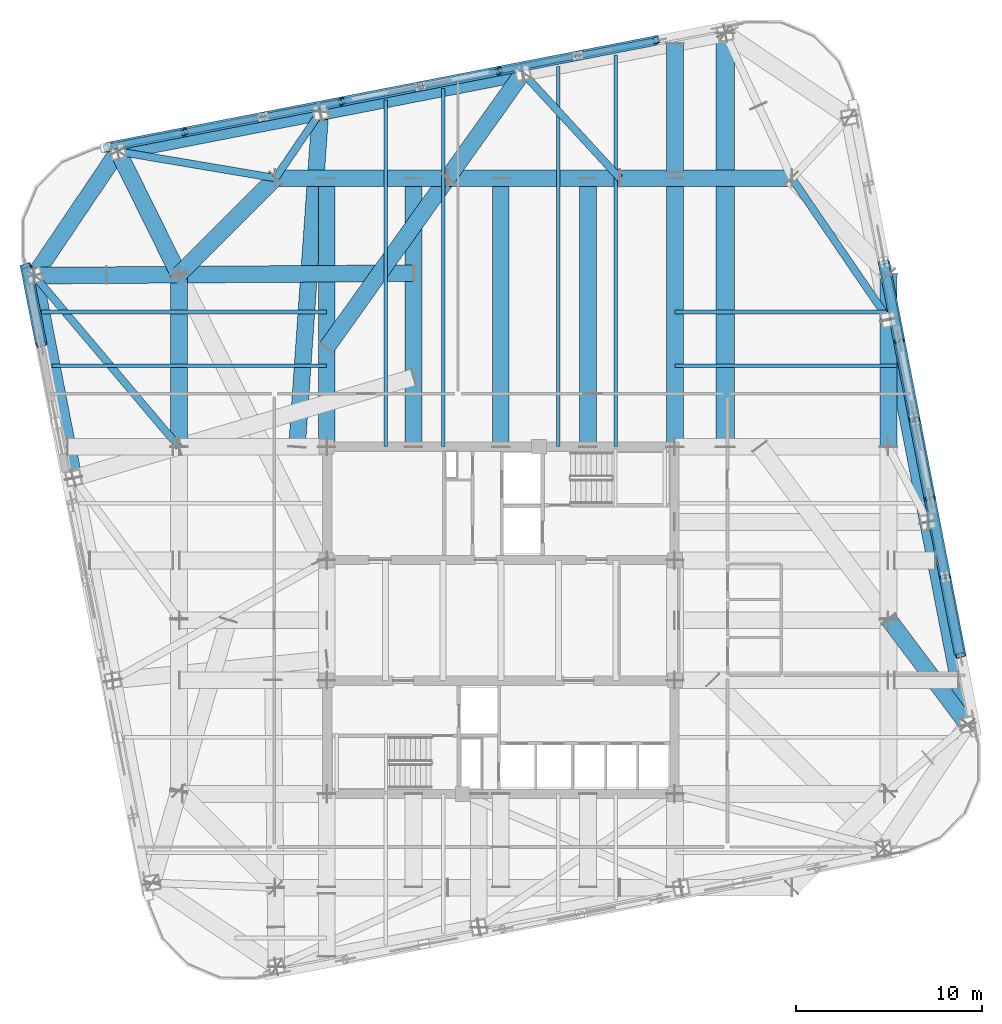
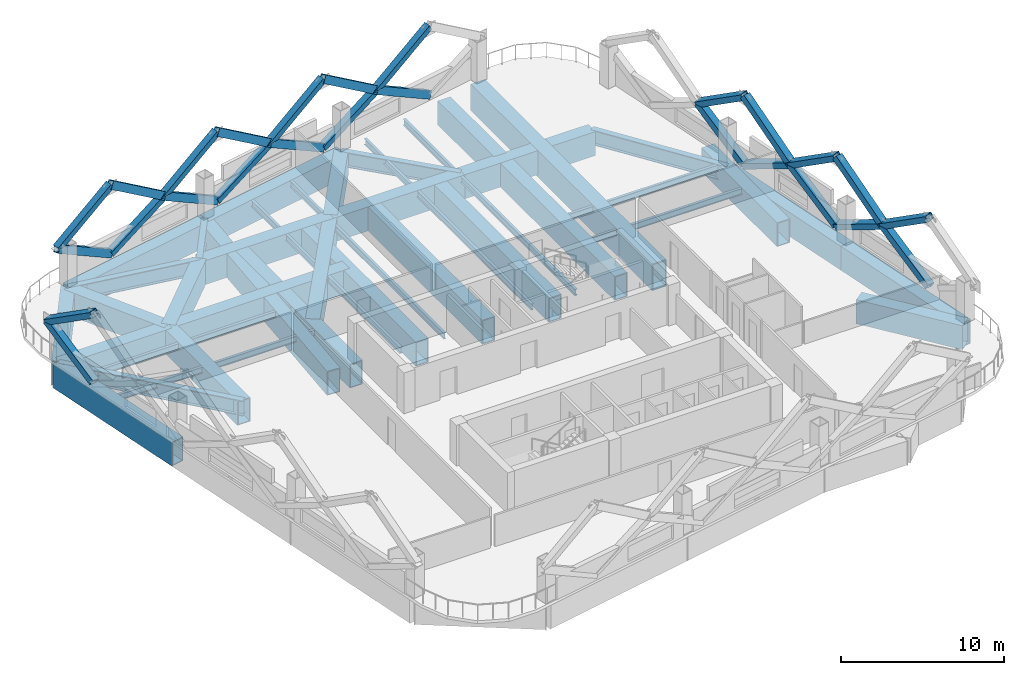
# One storey, part 3 of 14: 39 beams, 26 members.
"""IFC4 building model written with IfcOpenShell, lengths in metres."""

from ifc_helpers import new_model, si_unit, direction, frame, origin, origin_2d, place, context, subcontext, project, spatial, hollow_rectangle, i_section, extrude, material, material_profile, profile_set, type_object, element, save


model = new_model("IFC4")

# Units and contexts
model_context = context("Model", 3, precision=1e-05, world=origin(), true_north=direction((0.0, 1.0)))
body_context = subcontext(model_context, "Body", "Model", "MODEL_VIEW")
ifc_project = project(units=[si_unit("LENGTHUNIT", "METRE"), si_unit("AREAUNIT", "SQUARE_METRE"), si_unit("VOLUMEUNIT", "CUBIC_METRE"), si_unit("PLANEANGLEUNIT", "RADIAN"), si_unit("MASSUNIT", "GRAM", prefix="KILO")], contexts=[model_context])

# Site, building, storey
site_placement = place(None, origin())
site = spatial("IfcSite", under=ifc_project, at=site_placement, CompositionType="ELEMENT")
building_placement = place(site_placement, origin())
building = spatial("IfcBuilding", under=site, at=building_placement, Name="Qhalaya Broadcast Tower", CompositionType="ELEMENT")
storey_placement = place(building_placement, frame((0.0, 0.0, 112.800048828125)))
storey = spatial("IfcBuildingStorey", under=building, at=storey_placement, Name="L32", CompositionType="ELEMENT", Elevation=112.800048828125)

# Beams
ifc_material_1 = material(Name="Structural Steel ASTM A572 Grade 50", Category="steel")
ifc_material_profile_1 = material_profile(ifc_material_1, hollow_rectangle(XDim=0.89990234375, YDim=1.800048828125, WallThickness=0.06005859375, at=origin_2d()), Name="BOX 900x1800x60")
ifc_profile_set_1 = profile_set([ifc_material_profile_1], Name="Structural Steel ASTM A572 Grade 50")
beam_type_1 = type_object("IfcBeamType", Name="Block Cantilever Transfer Box Girder TG1", PredefinedType="USERDEFINED", material=ifc_profile_set_1)
for number, where, z_axis, x_axis, name in (
    (1, (25.1162109375, -4.99951171875, -1.1201171875), (-0.190804900759, 0.981627979352, 0.0), (-0.981627979352, -0.190804900759, 0.0), "L32 TG1 L32-SPR-05"),
    (2, (22.998291015625, 5.896484375, -1.1201171875), (-0.190804900759, 0.981627979352, 0.0), (-0.981627979352, -0.190804900759, 0.0), "L32 TG1 L32-SPR-06"),
    (3, (1.183349609375, 30.078369140625, -1.1201171875), (-0.981627979352, -0.190804900759, 0.0), (0.190804900759, -0.981627979352, 0.0), "L32 TG1 L32-SPR-10"),
    (4, (-9.712646484375, 27.96044921875, -1.1201171875), (-0.981623859527, -0.190826094673, 0.0), (0.190826094673, -0.981623859527, 0.0), "L32 TG1 L32-SPR-11"),
):
    element("IfcBeam", number, at=place(storey_placement, frame(where, z_axis=z_axis, x_axis=x_axis)), inside=storey, type_object=beam_type_1, Name=name, ObjectType="GIRDER", PredefinedType="USERDEFINED", context=body_context, shape_type="SweptSolid", body=[
        extrude(hollow_rectangle(XDim=0.89990234375, YDim=1.800048828125, WallThickness=0.06005859375, at=origin_2d()), origin(), (0.0, 0.0, 1.0), 11.099853515625),
    ])
beam_1_placement = place(storey_placement, frame((-20.608642578125, 25.84228515625, -1.1201171875), z_axis=(-0.559186208288, -0.829042088473, 0.0), x_axis=(0.829042088473, -0.559186208288, 0.0)))
element("IfcBeam", 5, at=beam_1_placement, inside=storey, type_object=beam_type_1, Name="L32 TG1 L32-SPR-12", ObjectType="GIRDER", PredefinedType="USERDEFINED", context=body_context, shape_type="SweptSolid", body=[
    extrude(hollow_rectangle(XDim=0.89990234375, YDim=1.800048828125, WallThickness=0.06005859375, at=origin_2d()), origin(), (0.0, 0.0, 1.0), 8.06103515625),
])
beam_2_placement = place(storey_placement, frame((-25.1162109375, 19.159423828125, -1.1201171875), z_axis=(0.190804900759, -0.981627979352, 0.0), x_axis=(0.981627979352, 0.190804900759, 0.0)))
element("IfcBeam", 6, at=beam_2_placement, inside=storey, type_object=beam_type_1, Name="L32 TG1 L32-SPR-13", ObjectType="GIRDER", PredefinedType="USERDEFINED", context=body_context, shape_type="SweptSolid", body=[
    extrude(hollow_rectangle(XDim=0.89990234375, YDim=1.800048828125, WallThickness=0.06005859375, at=origin_2d()), origin(), (0.0, 0.0, 1.0), 11.099853515625),
])
for number, where, z_axis, x_axis, name in (
    (7, (20.8701171875, 9.943359375, -1.1201171875), (0.0, 1.0, 0.0), (-1.0, 0.0, 0.0), "L32 TG1 L32-TGL-07"),
    (8, (15.669921875, 24.409912109375, -1.1201171875), (-1.0, 0.0, 0.0), (0.0, -1.0, 0.0), "L32 TG1 L32-TGL-09"),
    (9, (6.4033203125, 24.409912109375, -1.1201171875), (-1.0, 0.0, 0.0), (0.0, -1.0, 0.0), "L32 TG1 L32-TGL-10"),
    (10, (-2.86328125, 24.409912109375, -1.1201171875), (-1.0, 0.0, 0.0), (0.0, -1.0, 0.0), "L32 TG1 L32-TGL-11"),
):
    element("IfcBeam", number, at=place(storey_placement, frame(where, z_axis=z_axis, x_axis=x_axis)), inside=storey, type_object=beam_type_1, Name=name, ObjectType="GIRDER", PredefinedType="USERDEFINED", context=body_context, shape_type="SweptSolid", body=[
        extrude(hollow_rectangle(XDim=0.89990234375, YDim=1.800048828125, WallThickness=0.06005859375, at=origin_2d()), origin(), (0.0, 0.0, 1.0), 9.2666015625),
    ])
beam_3_placement = place(storey_placement, frame((-12.1298828125, 24.409912109375, -1.1201171875), z_axis=(-0.707123380132, -0.707090181851, 0.0), x_axis=(0.707090181851, -0.707123380132, 0.0)))
element("IfcBeam", 11, at=beam_3_placement, inside=storey, type_object=beam_type_1, Name="L32 TG1 L32-TGL-12", ObjectType="GIRDER", PredefinedType="USERDEFINED", context=body_context, shape_type="SweptSolid", body=[
    extrude(hollow_rectangle(XDim=0.89990234375, YDim=1.800048828125, WallThickness=0.06005859375, at=origin_2d()), origin(), (0.0, 0.0, 1.0), 7.35400390625),
])
beam_4_placement = place(storey_placement, frame((-17.330078125, 19.2099609375, -1.1201171875), z_axis=(0.0, -1.0, 0.0), x_axis=(1.0, 0.0, 0.0)))
element("IfcBeam", 12, at=beam_4_placement, inside=storey, type_object=beam_type_1, Name="L32 TG1 L32-TGL-13", ObjectType="GIRDER", PredefinedType="USERDEFINED", context=body_context, shape_type="SweptSolid", body=[
    extrude(hollow_rectangle(XDim=0.89990234375, YDim=1.800048828125, WallThickness=0.06005859375, at=origin_2d()), origin(), (0.0, 0.0, 1.0), 9.2666015625),
])
for number, where, z_axis, x_axis, name in (
    (13, (-9.375, 9.949951171875, -1.1201171875), (0.0, 1.0, 0.0), (-1.0, 0.0, 0.0), "L32 TG1 L32-TGINW-1"),
    (14, (9.375, 9.949951171875, -1.1201171875), (0.0, 1.0, 0.0), (-1.0, 0.0, 0.0), "L32 TG1 L32-TGINE-1"),
    (15, (0.0, 9.949951171875, -1.1201171875), (0.0, 1.0, 0.0), (-1.0, 0.0, 0.0), "L32 TG1 L32-TGIMN-1"),
    (16, (-4.699951171875, 9.949951171875, -1.1201171875), (0.0, 1.0, 0.0), (-1.0, 0.0, 0.0), "L32 TG1 L32-TGIMNW-1"),
    (17, (4.699951171875, 9.949951171875, -1.1201171875), (0.0, 1.0, 0.0), (-1.0, 0.0, 0.0), "L32 TG1 L32-TGIMNE-1"),
):
    element("IfcBeam", number, at=place(storey_placement, frame(where, z_axis=z_axis, x_axis=x_axis)), inside=storey, type_object=beam_type_1, Name=name, ObjectType="GIRDER", PredefinedType="USERDEFINED", context=body_context, shape_type="SweptSolid", body=[
        extrude(hollow_rectangle(XDim=0.89990234375, YDim=1.800048828125, WallThickness=0.06005859375, at=origin_2d()), origin(), (0.0, 0.0, 1.0), 14.420166015625),
    ])
beam_5_placement = place(storey_placement, frame((20.8701171875, 0.6767578125, -1.1201171875), z_axis=(0.598996608704, -0.800751561198, 0.0), x_axis=(0.800751561198, 0.598996608704, 0.0)))
element("IfcBeam", 18, at=beam_5_placement, inside=storey, type_object=beam_type_1, Name="L32 Cantilever Transfer Box Girder 05", ObjectType="GIRDER", PredefinedType="USERDEFINED", context=body_context, shape_type="SweptSolid", body=[
    extrude(hollow_rectangle(XDim=0.89990234375, YDim=1.800048828125, WallThickness=0.06005859375, at=origin_2d()), origin(), (0.0, 0.0, 1.0), 7.088623046875),
])
beam_6_placement = place(storey_placement, frame((-9.375, 15.288818359375, -1.1201171875), z_axis=(0.581040348314, 0.813874753037, 0.0), x_axis=(-0.813874753037, 0.581040348314, 0.0)))
element("IfcBeam", 19, at=beam_6_placement, inside=storey, type_object=beam_type_1, Name="L32 Collinear Back-Span Transfer Box Girder 10", ObjectType="GIRDER", PredefinedType="USERDEFINED", context=body_context, shape_type="SweptSolid", body=[
    extrude(hollow_rectangle(XDim=0.89990234375, YDim=1.800048828125, WallThickness=0.06005859375, at=origin_2d()), origin(), (0.0, 0.0, 1.0), 11.20703125),
])
beam_7_placement = place(storey_placement, frame((-2.86328125, 24.409912109375, -1.1201171875), z_axis=(0.58102263764, 0.813887396726, 0.0), x_axis=(-0.813887396726, 0.58102263764, 0.0)))
element("IfcBeam", 20, at=beam_7_placement, inside=storey, type_object=beam_type_1, Name="L32 Cantilever Transfer Box Girder 10", ObjectType="GIRDER", PredefinedType="USERDEFINED", context=body_context, shape_type="SweptSolid", body=[
    extrude(hollow_rectangle(XDim=0.89990234375, YDim=1.800048828125, WallThickness=0.06005859375, at=origin_2d()), origin(), (0.0, 0.0, 1.0), 6.964599609375),
])
beam_8_placement = place(storey_placement, frame((-10.9736328125, 9.949951171875, -1.1201171875), z_axis=(0.069842987809, 0.997557996837, 0.0), x_axis=(-0.997557996837, 0.069842987809, 0.0)))
element("IfcBeam", 21, at=beam_8_placement, inside=storey, type_object=beam_type_1, Name="L32 Continuous Cantilever Transfer Box Girder 11", ObjectType="GIRDER", PredefinedType="USERDEFINED", context=body_context, shape_type="SweptSolid", body=[
    extrude(hollow_rectangle(XDim=0.89990234375, YDim=1.800048828125, WallThickness=0.06005859375, at=origin_2d()), origin(), (0.0, 0.0, 1.0), 18.0546875),
])
beam_9_placement = place(storey_placement, frame((-17.330078125, 19.2099609375, -1.1201171875), z_axis=(-0.443143499588, 0.896450689538, 0.0), x_axis=(-0.896450689538, -0.443143499588, 0.0)))
element("IfcBeam", 22, at=beam_9_placement, inside=storey, type_object=beam_type_1, Name="L32 Cantilever Transfer Box Girder 12", ObjectType="GIRDER", PredefinedType="USERDEFINED", context=body_context, shape_type="SweptSolid", body=[
    extrude(hollow_rectangle(XDim=0.89990234375, YDim=1.800048828125, WallThickness=0.06005859375, at=origin_2d()), origin(), (0.0, 0.0, 1.0), 7.3984375),
])
beam_10_placement = place(storey_placement, frame((-4.699951171875, 19.2919921875, -1.1201171875), z_axis=(-0.999978908887, -0.006494750225, 0.0), x_axis=(0.006494750225, -0.999978908887, 0.0)))
element("IfcBeam", 23, at=beam_10_placement, inside=storey, type_object=beam_type_1, Name="L32 Collinear Back-Span Transfer Box Girder 13", ObjectType="GIRDER", PredefinedType="USERDEFINED", context=body_context, shape_type="SweptSolid", body=[
    extrude(hollow_rectangle(XDim=0.89990234375, YDim=1.800048828125, WallThickness=0.06005859375, at=origin_2d()), origin(), (0.0, 0.0, 1.0), 12.63037109375),
])
beam_11_placement = place(storey_placement, frame((-17.330078125, 19.2099609375, -1.1201171875), z_axis=(-0.999978936358, -0.006490519247, 0.0), x_axis=(0.006490519247, -0.999978936358, 0.0)))
element("IfcBeam", 24, at=beam_11_placement, inside=storey, type_object=beam_type_1, Name="L32 Cantilever Transfer Box Girder 13", ObjectType="GIRDER", PredefinedType="USERDEFINED", context=body_context, shape_type="SweptSolid", body=[
    extrude(hollow_rectangle(XDim=0.89990234375, YDim=1.800048828125, WallThickness=0.06005859375, at=origin_2d()), origin(), (0.0, 0.0, 1.0), 7.786376953125),
])
beam_12_placement = place(storey_placement, frame((9.375, 24.75, -1.1201171875), z_axis=(0.0, 1.0, 0.0), x_axis=(-1.0, 0.0, 0.0)))
element("IfcBeam", 25, at=beam_12_placement, inside=storey, type_object=beam_type_1, Name="L32 TG1 L32-PGXN2-OV1", ObjectType="GIRDER", PredefinedType="USERDEFINED", context=body_context, shape_type="SweptSolid", body=[
    extrude(hollow_rectangle(XDim=0.89990234375, YDim=1.800048828125, WallThickness=0.06005859375, at=origin_2d()), origin(), (0.0, 0.0, 1.0), 6.900146484375),
])
ifc_material_2 = material(Name="Structural Steel ASTM A992 Grade 50", Category="steel")
ifc_material_profile_2 = material_profile(ifc_material_2, i_section(OverallWidth=0.19189453125, OverallDepth=0.462890625, WebThickness=0.010498046875, FlangeThickness=0.017578125, at=origin_2d()), Name="W18X60")
ifc_profile_set_2 = profile_set([ifc_material_profile_2], Name="Structural Steel ASTM A992 Grade 50")
beam_type_2 = type_object("IfcBeamType", Name="Composite Floor Joist J03", PredefinedType="JOIST", material=ifc_profile_set_2)
beam_13_placement = place(storey_placement, frame((-6.199951171875, 9.949951171875, -0.45166015625), z_axis=(0.0, 1.0, 0.0), x_axis=(-1.0, 0.0, 0.0)))
element("IfcBeam", 26, at=beam_13_placement, inside=storey, type_object=beam_type_2, Name="L32 J03 L32-JNN1-1", PredefinedType="JOIST", context=body_context, shape_type="SweptSolid", body=[
    extrude(i_section(OverallWidth=0.19189453125, OverallDepth=0.462890625, WebThickness=0.010498046875, FlangeThickness=0.017578125, at=origin_2d()), origin(), (0.0, 0.0, 1.0), 18.6728515625),
])
beam_14_placement = place(storey_placement, frame((-3.10009765625, 9.949951171875, -0.45166015625), z_axis=(0.0, 1.0, 0.0), x_axis=(-1.0, 0.0, 0.0)))
element("IfcBeam", 27, at=beam_14_placement, inside=storey, type_object=beam_type_2, Name="L32 J03 L32-JNN2-1", PredefinedType="JOIST", context=body_context, shape_type="SweptSolid", body=[
    extrude(i_section(OverallWidth=0.19189453125, OverallDepth=0.462890625, WebThickness=0.010498046875, FlangeThickness=0.017578125, at=origin_2d()), origin(), (0.0, 0.0, 1.0), 19.275390625),
])
beam_15_placement = place(storey_placement, frame((3.10009765625, 9.949951171875, -0.45166015625), z_axis=(0.0, 1.0, 0.0), x_axis=(-1.0, 0.0, 0.0)))
element("IfcBeam", 28, at=beam_15_placement, inside=storey, type_object=beam_type_2, Name="L32 J03 L32-JNN4-1", PredefinedType="JOIST", context=body_context, shape_type="SweptSolid", body=[
    extrude(i_section(OverallWidth=0.19189453125, OverallDepth=0.462890625, WebThickness=0.010498046875, FlangeThickness=0.017578125, at=origin_2d()), origin(), (0.0, 0.0, 1.0), 20.480712890625),
])
beam_16_placement = place(storey_placement, frame((6.199951171875, 9.949951171875, -0.45166015625), z_axis=(0.0, 1.0, 0.0), x_axis=(-1.0, 0.0, 0.0)))
element("IfcBeam", 29, at=beam_16_placement, inside=storey, type_object=beam_type_2, Name="L32 J03 L32-JNN5-1", PredefinedType="JOIST", context=body_context, shape_type="SweptSolid", body=[
    extrude(i_section(OverallWidth=0.19189453125, OverallDepth=0.462890625, WebThickness=0.010498046875, FlangeThickness=0.017578125, at=origin_2d()), origin(), (0.0, 0.0, 1.0), 21.083251953125),
])
beam_17_placement = place(storey_placement, frame((-24.1513671875, 14.300048828125, -0.45166015625), z_axis=(1.0, 0.0, 0.0), x_axis=(0.0, 1.0, 0.0)))
element("IfcBeam", 30, at=beam_17_placement, inside=storey, type_object=beam_type_2, Name="L32 J03 L32-JWE6W-1", PredefinedType="JOIST", context=body_context, shape_type="SweptSolid", body=[
    extrude(i_section(OverallWidth=0.19189453125, OverallDepth=0.462890625, WebThickness=0.010498046875, FlangeThickness=0.017578125, at=origin_2d()), origin(), (0.0, 0.0, 1.0), 14.7763671875),
])
beam_18_placement = place(storey_placement, frame((9.375, 14.300048828125, -0.45166015625), z_axis=(1.0, 0.0, 0.0), x_axis=(0.0, 1.0, 0.0)))
element("IfcBeam", 31, at=beam_18_placement, inside=storey, type_object=beam_type_2, Name="L32 J03 L32-JWE6E-1", PredefinedType="JOIST", context=body_context, shape_type="SweptSolid", body=[
    extrude(i_section(OverallWidth=0.19189453125, OverallDepth=0.462890625, WebThickness=0.010498046875, FlangeThickness=0.017578125, at=origin_2d()), origin(), (0.0, 0.0, 1.0), 11.969482421875),
])
beam_19_placement = place(storey_placement, frame((-24.715087890625, 17.199951171875, -0.45166015625), z_axis=(1.0, 0.0, 0.0), x_axis=(0.0, 1.0, 0.0)))
element("IfcBeam", 32, at=beam_19_placement, inside=storey, type_object=beam_type_2, Name="L32 J03 L32-JWE7W-1", PredefinedType="JOIST", context=body_context, shape_type="SweptSolid", body=[
    extrude(i_section(OverallWidth=0.19189453125, OverallDepth=0.462890625, WebThickness=0.010498046875, FlangeThickness=0.017578125, at=origin_2d()), origin(), (0.0, 0.0, 1.0), 15.340087890625),
])
beam_20_placement = place(storey_placement, frame((9.375, 17.199951171875, -0.45166015625), z_axis=(1.0, 0.0, 0.0), x_axis=(0.0, 1.0, 0.0)))
element("IfcBeam", 33, at=beam_20_placement, inside=storey, type_object=beam_type_2, Name="L32 J03 L32-JWE7E-1", PredefinedType="JOIST", context=body_context, shape_type="SweptSolid", body=[
    extrude(i_section(OverallWidth=0.19189453125, OverallDepth=0.462890625, WebThickness=0.010498046875, FlangeThickness=0.017578125, at=origin_2d()), origin(), (0.0, 0.0, 1.0), 11.40576171875),
])

# Members
ifc_material_profile_3 = material_profile(ifc_material_1, hollow_rectangle(XDim=0.419921875, YDim=0.550048828125, WallThickness=0.028076171875, at=origin_2d()), Name="BOX 420x550x28")
ifc_profile_set_3 = profile_set([ifc_material_profile_3], Name="Structural Steel ASTM A572 Grade 50")
member_type = type_object("IfcMemberType", Name="Exoskeleton Diamond Diagonal Mid-Low EX2", PredefinedType="BRACE", material=ifc_profile_set_3)
member_1_placement = place(storey_placement, frame((24.74169921875, -1.290283203125, 0.35986328125), z_axis=(-0.167902203124, 0.863618006517, 0.475365952719), x_axis=(0.276355899211, -0.421640895738, 0.863623976052)))
element("IfcMember", 34, at=member_1_placement, inside=storey, type_object=member_type, Name="B3 Exoskeleton Diamond Brace E1-D2", PredefinedType="BRACE", context=body_context, shape_type="SweptSolid", body=[
    extrude(hollow_rectangle(XDim=0.419921875, YDim=0.550048828125, WallThickness=0.028076171875, at=origin_2d()), origin(), (0.0, 0.0, 1.0), 4.901611328125),
])
member_2_placement = place(storey_placement, frame((23.918701171875, 2.94287109375, 2.68994140625), z_axis=(0.159893335716, -0.822423775729, 0.545942537553), x_axis=(-0.289577544331, 0.489647453062, 0.822429460519)))
element("IfcMember", 35, at=member_2_placement, inside=storey, type_object=member_type, Name="B3 Exoskeleton Diamond Brace E1-D4", PredefinedType="BRACE", context=body_context, shape_type="SweptSolid", body=[
    extrude(hollow_rectangle(XDim=0.419921875, YDim=0.550048828125, WallThickness=0.028076171875, at=origin_2d()), origin(), (0.0, 0.0, 1.0), 5.147216796875),
])
member_3_placement = place(storey_placement, frame((23.095947265625, 7.17626953125, 0.35986328125), z_axis=(0.16784657874, -0.863637885863, 0.47534947997), x_axis=(-0.276324827587, 0.421643364625, 0.863632712863)))
element("IfcMember", 36, at=member_3_placement, inside=storey, type_object=member_type, Name="B3 Exoskeleton Diamond Brace E2-D1", PredefinedType="BRACE", context=body_context, shape_type="SweptSolid", body=[
    extrude(hollow_rectangle(XDim=0.419921875, YDim=0.550048828125, WallThickness=0.028076171875, at=origin_2d()), origin(), (0.0, 0.0, 1.0), 4.90185546875),
])
member_4_placement = place(storey_placement, frame((23.095947265625, 7.17626953125, 0.35986328125), z_axis=(-0.167853798825, 0.86362522784, 0.475369927591), x_axis=(0.276333211151, -0.421660083323, 0.863621867803)))
element("IfcMember", 37, at=member_4_placement, inside=storey, type_object=member_type, Name="B3 Exoskeleton Diamond Brace E2-D2", PredefinedType="BRACE", context=body_context, shape_type="SweptSolid", body=[
    extrude(hollow_rectangle(XDim=0.419921875, YDim=0.550048828125, WallThickness=0.028076171875, at=origin_2d()), origin(), (0.0, 0.0, 1.0), 4.901611328125),
])
for number, where, z_axis, x_axis, name in (
    (38, (23.918701171875, 2.94287109375, 2.68994140625), (-0.159840880392, 0.822445360829, 0.545925380804), (0.289541830698, -0.489650140275, 0.822440434563), "B3 Exoskeleton Diamond Brace E2-D3"),
    (39, (22.273193359375, 11.409423828125, 2.68994140625), (0.159847115813, -0.822430012189, 0.545946677449), (-0.289551107794, 0.489667534331, 0.822426812426), "B3 Exoskeleton Diamond Brace E2-D4"),
):
    element("IfcMember", number, at=place(storey_placement, frame(where, z_axis=z_axis, x_axis=x_axis)), inside=storey, type_object=member_type, Name=name, PredefinedType="BRACE", context=body_context, shape_type="SweptSolid", body=[
        extrude(hollow_rectangle(XDim=0.419921875, YDim=0.550048828125, WallThickness=0.028076171875, at=origin_2d()), origin(), (0.0, 0.0, 1.0), 5.147216796875),
    ])
member_5_placement = place(storey_placement, frame((21.4501953125, 15.642578125, 0.35986328125), z_axis=(0.167902203124, -0.863618006517, 0.475365952719), x_axis=(-0.276355899211, 0.421640895738, 0.863623976052)))
element("IfcMember", 40, at=member_5_placement, inside=storey, type_object=member_type, Name="B3 Exoskeleton Diamond Brace E3-D1", PredefinedType="BRACE", context=body_context, shape_type="SweptSolid", body=[
    extrude(hollow_rectangle(XDim=0.419921875, YDim=0.550048828125, WallThickness=0.028076171875, at=origin_2d()), origin(), (0.0, 0.0, 1.0), 4.901611328125),
])
member_6_placement = place(storey_placement, frame((21.4501953125, 15.642578125, 0.35986328125), z_axis=(-0.16784657874, 0.863637885863, 0.47534947997), x_axis=(0.276324827587, -0.421643364625, 0.863632712863)))
element("IfcMember", 41, at=member_6_placement, inside=storey, type_object=member_type, Name="B3 Exoskeleton Diamond Brace E3-D2", PredefinedType="BRACE", context=body_context, shape_type="SweptSolid", body=[
    extrude(hollow_rectangle(XDim=0.419921875, YDim=0.550048828125, WallThickness=0.028076171875, at=origin_2d()), origin(), (0.0, 0.0, 1.0), 4.90185546875),
])
for number, where, z_axis, x_axis, name in (
    (42, (22.273193359375, 11.409423828125, 2.68994140625), (-0.159893335716, 0.822423775729, 0.545942537553), (0.289577544331, -0.489647453062, 0.822429460519), "B3 Exoskeleton Diamond Brace E3-D3"),
    (43, (20.62744140625, 19.8759765625, 2.68994140625), (0.159840880392, -0.822445360829, 0.545925380804), (-0.289541830698, 0.489650140275, 0.822440434563), "B3 Exoskeleton Diamond Brace E3-D4"),
):
    element("IfcMember", number, at=place(storey_placement, frame(where, z_axis=z_axis, x_axis=x_axis)), inside=storey, type_object=member_type, Name=name, PredefinedType="BRACE", context=body_context, shape_type="SweptSolid", body=[
        extrude(hollow_rectangle(XDim=0.419921875, YDim=0.550048828125, WallThickness=0.028076171875, at=origin_2d()), origin(), (0.0, 0.0, 1.0), 5.147216796875),
    ])
member_7_placement = place(storey_placement, frame((8.370361328125, 31.82177734375, 0.35986328125), z_axis=(-0.863618006517, -0.167902203124, 0.475365952719), x_axis=(0.276374553568, -0.946274942687, 0.167871495444)))
element("IfcMember", 44, at=member_7_placement, inside=storey, type_object=member_type, Name="B3 Exoskeleton Diamond Brace N1-D2", PredefinedType="BRACE", context=body_context, shape_type="SweptSolid", body=[
    extrude(hollow_rectangle(XDim=0.419921875, YDim=0.550048828125, WallThickness=0.028076171875, at=origin_2d()), origin(), (0.0, 0.0, 1.0), 4.901611328125),
])
member_8_placement = place(storey_placement, frame((4.13720703125, 30.998779296875, 2.68994140625), z_axis=(0.822423775729, 0.159893335716, 0.545942537553), x_axis=(-0.289593689204, 0.943704915221, 0.15986409278)))
element("IfcMember", 45, at=member_8_placement, inside=storey, type_object=member_type, Name="B3 Exoskeleton Diamond Brace N1-D4", PredefinedType="BRACE", context=body_context, shape_type="SweptSolid", body=[
    extrude(hollow_rectangle(XDim=0.419921875, YDim=0.550048828125, WallThickness=0.028076171875, at=origin_2d()), origin(), (0.0, 0.0, 1.0), 5.147216796875),
])
for number, where, z_axis, x_axis, name in (
    (46, (-0.09619140625, 30.176025390625, 0.35986328125), (0.863637885863, 0.16784657874, 0.47534947997), (-0.276308659238, 0.946293884406, 0.167873193708), "B3 Exoskeleton Diamond Brace N2-D1"),
    (47, (-0.09619140625, 30.176025390625, 0.35986328125), (-0.863630665056, -0.167894981079, 0.475345505611), (0.276360500461, -0.946278673042, 0.167873603434), "B3 Exoskeleton Diamond Brace N2-D2"),
):
    element("IfcMember", number, at=place(storey_placement, frame(where, z_axis=z_axis, x_axis=x_axis)), inside=storey, type_object=member_type, Name=name, PredefinedType="BRACE", context=body_context, shape_type="SweptSolid", body=[
        extrude(hollow_rectangle(XDim=0.419921875, YDim=0.550048828125, WallThickness=0.028076171875, at=origin_2d()), origin(), (0.0, 0.0, 1.0), 4.90185546875),
    ])
member_9_placement = place(storey_placement, frame((4.13720703125, 30.998779296875, 2.68994140625), z_axis=(-0.822445360829, -0.159840880392, 0.545925380804), x_axis=(0.289527837313, -0.943724759255, 0.159866225918)))
element("IfcMember", 48, at=member_9_placement, inside=storey, type_object=member_type, Name="B3 Exoskeleton Diamond Brace N2-D3", PredefinedType="BRACE", context=body_context, shape_type="SweptSolid", body=[
    extrude(hollow_rectangle(XDim=0.419921875, YDim=0.550048828125, WallThickness=0.028076171875, at=origin_2d()), origin(), (0.0, 0.0, 1.0), 5.147216796875),
])
member_10_placement = place(storey_placement, frame((-4.32958984375, 29.35302734375, 2.68994140625), z_axis=(0.822439124739, 0.159887098587, 0.545921241393), x_axis=(-0.289579504833, 0.943708819309, 0.159866740566)))
element("IfcMember", 49, at=member_10_placement, inside=storey, type_object=member_type, Name="B3 Exoskeleton Diamond Brace N2-D4", PredefinedType="BRACE", context=body_context, shape_type="SweptSolid", body=[
    extrude(hollow_rectangle(XDim=0.419921875, YDim=0.550048828125, WallThickness=0.028076171875, at=origin_2d()), origin(), (0.0, 0.0, 1.0), 5.1474609375),
])
for number, where, z_axis, x_axis, name in (
    (50, (-8.562744140625, 28.5302734375, 0.35986328125), (0.86362522784, 0.167853798825, 0.475369927591), (-0.276322709835, 0.946290155626, 0.167871085642), "B3 Exoskeleton Diamond Brace N3-D1"),
    (51, (-8.562744140625, 28.5302734375, 0.35986328125), (-0.86362522784, -0.167853798825, 0.475369927591), (0.276322709835, -0.946290155626, 0.167871085642), "B3 Exoskeleton Diamond Brace N3-D2"),
):
    element("IfcMember", number, at=place(storey_placement, frame(where, z_axis=z_axis, x_axis=x_axis)), inside=storey, type_object=member_type, Name=name, PredefinedType="BRACE", context=body_context, shape_type="SweptSolid", body=[
        extrude(hollow_rectangle(XDim=0.419921875, YDim=0.550048828125, WallThickness=0.028076171875, at=origin_2d()), origin(), (0.0, 0.0, 1.0), 4.901611328125),
    ])
for number, where, z_axis, x_axis, name in (
    (52, (-4.32958984375, 29.35302734375, 2.68994140625), (-0.822430012189, -0.159847115813, 0.545946677449), (0.289542019185, -0.943720856791, 0.159863578043), "B3 Exoskeleton Diamond Brace N3-D3"),
    (53, (-12.7958984375, 27.70751953125, 2.68994140625), (0.822430012189, 0.159847115813, 0.545946677449), (-0.289542019185, 0.943720856791, 0.159863578043), "B3 Exoskeleton Diamond Brace N3-D4"),
):
    element("IfcMember", number, at=place(storey_placement, frame(where, z_axis=z_axis, x_axis=x_axis)), inside=storey, type_object=member_type, Name=name, PredefinedType="BRACE", context=body_context, shape_type="SweptSolid", body=[
        extrude(hollow_rectangle(XDim=0.419921875, YDim=0.550048828125, WallThickness=0.028076171875, at=origin_2d()), origin(), (0.0, 0.0, 1.0), 5.147216796875),
    ])
member_11_placement = place(storey_placement, frame((-17.029296875, 26.884521484375, 0.35986328125), z_axis=(0.863630665056, 0.167894981079, 0.475345505611), x_axis=(-0.276360500461, 0.946278673042, 0.167873603434)))
element("IfcMember", 54, at=member_11_placement, inside=storey, type_object=member_type, Name="B3 Exoskeleton Diamond Brace N4-D1", PredefinedType="BRACE", context=body_context, shape_type="SweptSolid", body=[
    extrude(hollow_rectangle(XDim=0.419921875, YDim=0.550048828125, WallThickness=0.028076171875, at=origin_2d()), origin(), (0.0, 0.0, 1.0), 4.90185546875),
])
member_12_placement = place(storey_placement, frame((-17.029296875, 26.884521484375, 0.35986328125), z_axis=(-0.86362522784, -0.167853798825, 0.475369927591), x_axis=(0.276322709835, -0.946290155626, 0.167871085642)))
element("IfcMember", 55, at=member_12_placement, inside=storey, type_object=member_type, Name="B3 Exoskeleton Diamond Brace N4-D2", PredefinedType="BRACE", context=body_context, shape_type="SweptSolid", body=[
    extrude(hollow_rectangle(XDim=0.419921875, YDim=0.550048828125, WallThickness=0.028076171875, at=origin_2d()), origin(), (0.0, 0.0, 1.0), 4.901611328125),
])
member_13_placement = place(storey_placement, frame((-12.7958984375, 27.70751953125, 2.68994140625), z_axis=(-0.822439124739, -0.159887098587, 0.545921241393), x_axis=(0.289579504833, -0.943708819309, 0.159866740566)))
element("IfcMember", 56, at=member_13_placement, inside=storey, type_object=member_type, Name="B3 Exoskeleton Diamond Brace N4-D3", PredefinedType="BRACE", context=body_context, shape_type="SweptSolid", body=[
    extrude(hollow_rectangle(XDim=0.419921875, YDim=0.550048828125, WallThickness=0.028076171875, at=origin_2d()), origin(), (0.0, 0.0, 1.0), 5.1474609375),
])
member_14_placement = place(storey_placement, frame((-21.262451171875, 26.061767578125, 2.68994140625), z_axis=(0.822430012189, 0.159847115813, 0.545946677449), x_axis=(-0.289542019185, 0.943720856791, 0.159863578043)))
element("IfcMember", 57, at=member_14_placement, inside=storey, type_object=member_type, Name="B3 Exoskeleton Diamond Brace N4-D4", PredefinedType="BRACE", context=body_context, shape_type="SweptSolid", body=[
    extrude(hollow_rectangle(XDim=0.419921875, YDim=0.550048828125, WallThickness=0.028076171875, at=origin_2d()), origin(), (0.0, 0.0, 1.0), 5.147216796875),
])
member_15_placement = place(storey_placement, frame((-24.74169921875, 15.4501953125, 0.35986328125), z_axis=(-0.167894981079, 0.863630665056, 0.475345505611), x_axis=(0.276347513602, -0.421624178814, 0.863634820723)))
element("IfcMember", 58, at=member_15_placement, inside=storey, type_object=member_type, Name="B3 Exoskeleton Diamond Brace W1-D1", PredefinedType="BRACE", context=body_context, shape_type="SweptSolid", body=[
    extrude(hollow_rectangle(XDim=0.419921875, YDim=0.550048828125, WallThickness=0.028076171875, at=origin_2d()), origin(), (0.0, 0.0, 1.0), 4.90185546875),
])
member_16_placement = place(storey_placement, frame((-25.564697265625, 19.68359375, 2.68994140625), z_axis=(0.159887098587, -0.822439124739, 0.545921241393), x_axis=(-0.289568264946, 0.489630060841, 0.822443082199)))
element("IfcMember", 59, at=member_16_placement, inside=storey, type_object=member_type, Name="B3 Exoskeleton Diamond Brace W1-D3", PredefinedType="BRACE", context=body_context, shape_type="SweptSolid", body=[
    extrude(hollow_rectangle(XDim=0.419921875, YDim=0.550048828125, WallThickness=0.028076171875, at=origin_2d()), origin(), (0.0, 0.0, 1.0), 5.1474609375),
])

# Beams
ifc_material_profile_4 = material_profile(ifc_material_2, i_section(OverallWidth=0.404052734375, OverallDepth=1.117919921875, WebThickness=0.026123046875, FlangeThickness=0.044921875, at=origin_2d()), Name="W44X335")
ifc_profile_set_4 = profile_set([ifc_material_profile_4], Name="Structural Steel ASTM A992 Grade 50")
beam_type_3 = type_object("IfcBeamType", Name="Podium Long-Span Primary Girder PG1", PredefinedType="USERDEFINED", material=ifc_profile_set_4)
beam_21_placement = place(storey_placement, frame((15.669921875, 24.409912109375, -0.779052734375), z_axis=(0.564574851543, -0.825381873441, 0.0), x_axis=(0.825381873441, 0.564574851543, 0.0)))
element("IfcBeam", 60, at=beam_21_placement, inside=storey, type_object=beam_type_3, Name="L32 Column-to-Column Moment Tie Girder 07-3", ObjectType="GIRDER", PredefinedType="USERDEFINED", context=body_context, shape_type="SweptSolid", body=[
    extrude(i_section(OverallWidth=0.404052734375, OverallDepth=1.117919921875, WebThickness=0.026123046875, FlangeThickness=0.044921875, at=origin_2d()), origin(), (0.0, 0.0, 1.0), 9.22900390625),
])
beam_22_placement = place(storey_placement, frame((6.4033203125, 24.409912109375, -0.779052734375), z_axis=(-0.677407187137, 0.735608253634, 0.0), x_axis=(-0.735608253634, -0.677407187137, 0.0)))
element("IfcBeam", 61, at=beam_22_placement, inside=storey, type_object=beam_type_3, Name="L32 Column-to-Column Moment Tie Girder 10-2", ObjectType="GIRDER", PredefinedType="USERDEFINED", context=body_context, shape_type="SweptSolid", body=[
    extrude(i_section(OverallWidth=0.404052734375, OverallDepth=1.117919921875, WebThickness=0.026123046875, FlangeThickness=0.044921875, at=origin_2d()), origin(), (0.0, 0.0, 1.0), 7.705810546875),
])
beam_23_placement = place(storey_placement, frame((-12.1298828125, 24.409912109375, -0.779052734375), z_axis=(0.562767013926, 0.826615562421, 0.0), x_axis=(-0.826615562421, 0.562767013926, 0.0)))
element("IfcBeam", 62, at=beam_23_placement, inside=storey, type_object=beam_type_3, Name="L32 Column-to-Column Moment Tie Girder 11-1", ObjectType="GIRDER", PredefinedType="USERDEFINED", context=body_context, shape_type="SweptSolid", body=[
    extrude(i_section(OverallWidth=0.404052734375, OverallDepth=1.117919921875, WebThickness=0.026123046875, FlangeThickness=0.044921875, at=origin_2d()), origin(), (0.0, 0.0, 1.0), 4.295166015625),
])
beam_24_placement = place(storey_placement, frame((-12.1298828125, 24.409912109375, -0.779052734375), z_axis=(-0.986028561607, 0.166576335942, 0.0), x_axis=(-0.166576335942, -0.986028561607, 0.0)))
element("IfcBeam", 63, at=beam_24_placement, inside=storey, type_object=beam_type_3, Name="L32 Column-to-Column Moment Tie Girder 12-2", ObjectType="GIRDER", PredefinedType="USERDEFINED", context=body_context, shape_type="SweptSolid", body=[
    extrude(i_section(OverallWidth=0.404052734375, OverallDepth=1.117919921875, WebThickness=0.026123046875, FlangeThickness=0.044921875, at=origin_2d()), origin(), (0.0, 0.0, 1.0), 8.598876953125),
])
beam_25_placement = place(storey_placement, frame((-17.330078125, 9.943359375, -0.779052734375), z_axis=(-0.645358774654, 0.763879605682, 0.0), x_axis=(-0.763879605682, -0.645358774654, 0.0)))
element("IfcBeam", 64, at=beam_25_placement, inside=storey, type_object=beam_type_3, Name="L32 Column-to-Column Moment Tie Girder 13-2", ObjectType="GIRDER", PredefinedType="USERDEFINED", context=body_context, shape_type="SweptSolid", body=[
    extrude(i_section(OverallWidth=0.404052734375, OverallDepth=1.117919921875, WebThickness=0.026123046875, FlangeThickness=0.044921875, at=origin_2d()), origin(), (0.0, 0.0, 1.0), 12.064697265625),
])
ifc_material_profile_5 = material_profile(ifc_material_1, hollow_rectangle(XDim=1.0, YDim=2.0, WallThickness=0.06494140625, at=origin_2d()), Name="BOX 1000x2000x65")
ifc_profile_set_5 = profile_set([ifc_material_profile_5], Name="Structural Steel ASTM A572 Grade 50")
beam_type_4 = type_object("IfcBeamType", Name="Podium Soundstage Transfer Box Girder TG0", PredefinedType="USERDEFINED", material=ifc_profile_set_5)
beam_26_placement = place(storey_placement, frame((12.07958984375, 9.949951171875, -1.219970703125), z_axis=(0.0, 1.0, 0.0), x_axis=(-1.0, 0.0, 0.0)))
element("IfcBeam", 65, at=beam_26_placement, inside=storey, type_object=beam_type_4, Name="L32 Continuous Cantilever Transfer Box Girder 09", ObjectType="GIRDER", PredefinedType="USERDEFINED", context=body_context, shape_type="SweptSolid", body=[
    extrude(hollow_rectangle(XDim=1.0, YDim=2.0, WallThickness=0.06494140625, at=origin_2d()), origin(), (0.0, 0.0, 1.0), 22.246337890625),
])

save(model, "model.ifc")
